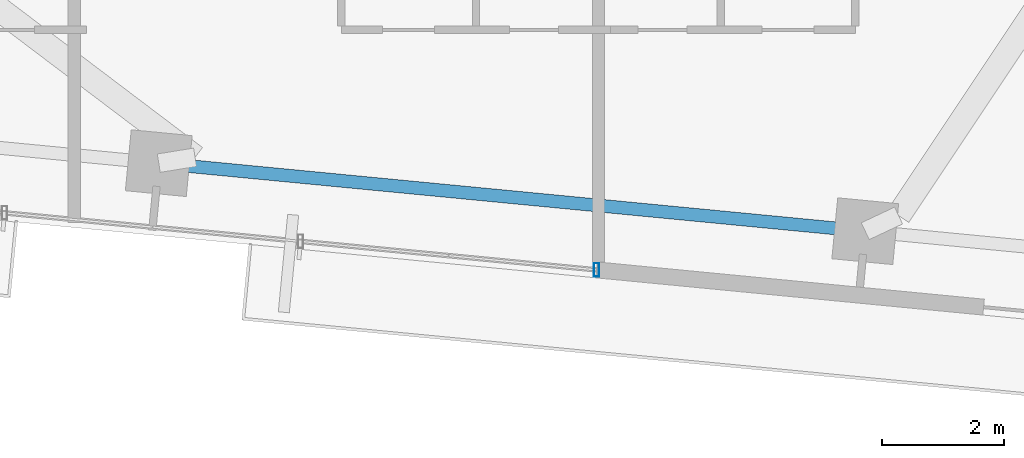
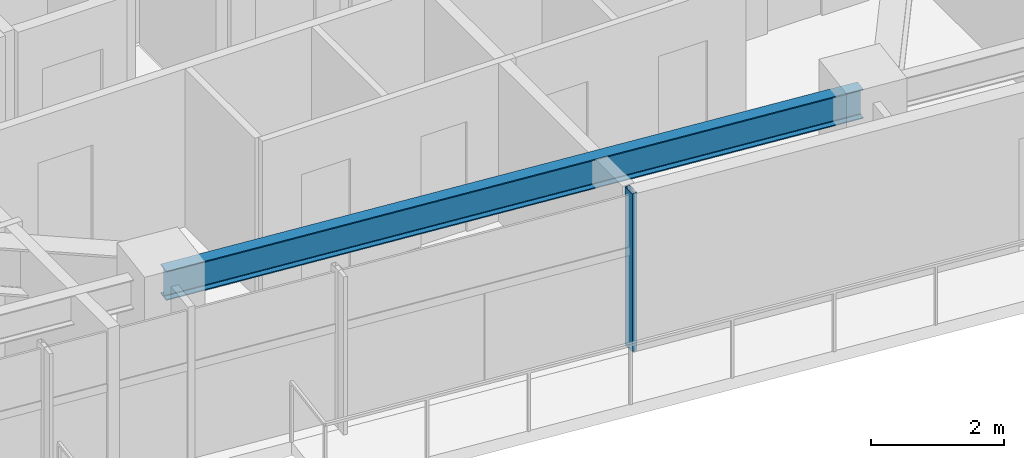
# One storey, part 9 of 20: 1 beam, 1 member, 1 element without a shape of its own.
"""IFC4 building model written with IfcOpenShell, lengths in metres."""

from ifc_helpers import new_model, si_unit, direction, frame, origin, origin_2d, place, context, subcontext, project, spatial, hollow_rectangle, i_section, extrude, source, transform, mapped, material, material_profile, profile_set, type_object, type_shapes, element, aggregate, save


model = new_model("IFC4")

# Units and contexts
model_context = context("Model", 3, precision=1e-05, world=origin(), true_north=direction((0.0, 1.0)))
body_context = subcontext(model_context, "Body", "Model", "MODEL_VIEW")
ifc_project = project(units=[si_unit("LENGTHUNIT", "METRE"), si_unit("AREAUNIT", "SQUARE_METRE"), si_unit("VOLUMEUNIT", "CUBIC_METRE"), si_unit("PLANEANGLEUNIT", "RADIAN"), si_unit("MASSUNIT", "GRAM", prefix="KILO")], contexts=[model_context])

# Site, building, storey
site_placement = place(None, origin())
site = spatial("IfcSite", under=ifc_project, at=site_placement, CompositionType="ELEMENT")
building_placement = place(site_placement, origin())
building = spatial("IfcBuilding", under=site, at=building_placement, Name="Astriad Promenade Condominiums", CompositionType="ELEMENT")
storey_placement = place(building_placement, frame((0.0, 0.0, 159.800048828125)))
storey = spatial("IfcBuildingStorey", under=building, at=storey_placement, Name="L46", CompositionType="ELEMENT", Elevation=159.800048828125)

# Beam
ifc_material_1 = material(Name="Steel ASTM A992 Grade 50", Category="steel")
ifc_material_profile_1 = material_profile(ifc_material_1, i_section(OverallWidth=0.210693359375, OverallDepth=0.53955078125, WebThickness=0.01171875, FlangeThickness=0.018798828125, FilletRadius=0.0166015625, at=origin_2d()), Name="W21X73")
ifc_profile_set_1 = profile_set([ifc_material_profile_1], Name="Steel ASTM A992 Grade 50")
beam_type = type_object("IfcBeamType", Name="STEEL SPANDREL BEAM W21X73", PredefinedType="SPANDREL", material=ifc_profile_set_1)
shared_shape_1 = source(origin(), body_context, "Body", "SweptSolid", [
    extrude(i_section(OverallWidth=0.210693359375, OverallDepth=0.53955078125, WebThickness=0.01171875, FlangeThickness=0.018798828125, FilletRadius=0.0166015625, at=origin_2d()), origin(), (0.0, 0.0, 1.0), 11.52001953125),
])
type_shapes(beam_type, [shared_shape_1])
beam_placement = place(storey_placement, frame((32.013671875, 8.2158203125, 2.63037109375), z_axis=(0.995397412028, -0.095833147335, 0.0), x_axis=(0.095833147335, 0.995397412028, 0.0)))
element("IfcBeam", 1, at=beam_placement, inside=storey, type_object=beam_type, Name="Perimeter Spandrel Beam SP-S3-L46", PredefinedType="SPANDREL", context=body_context, shape_type="MappedRepresentation", body=[
    mapped(shared_shape_1, transform((0.0, 0.0, 0.0), scale=1.0)),
])

# Curtain wall, member
ifc_material_2 = material(Name="Anodised aluminium Black Dark Glass Unitised", Category="aluminium")
curtain_wall_type = type_object("IfcCurtainWallType", Name="CW-B34-DARK", PredefinedType="USERDEFINED", material=ifc_material_2)
curtain_wall_placement = place(storey_placement, origin())
curtain_wall = element("IfcCurtainWall", 2, at=curtain_wall_placement, inside=storey, type_object=curtain_wall_type, Name="CW-L46-S", ObjectType="UNITISED_CURTAIN_WALL", PredefinedType="USERDEFINED")
ifc_material_3 = material(Name="Anodised aluminium 6063-T6 Black", Category="aluminium")
ifc_material_profile_2 = material_profile(ifc_material_3, hollow_rectangle(XDim=0.0849609375, YDim=0.219970703125, WallThickness=0.0048828125, at=origin_2d()), Name="ALU-MUL-85X220")
ifc_profile_set_2 = profile_set([ifc_material_profile_2], Name="Anodised aluminium 6063-T6 Black")
member_type = type_object("IfcMemberType", Name="MUL-ALU-MUL-85X220", PredefinedType="MULLION", material=ifc_profile_set_2)
shared_shape_2 = source(origin(), body_context, "Body", "SweptSolid", [
    extrude(hollow_rectangle(XDim=0.0849609375, YDim=0.219970703125, WallThickness=0.0048828125, at=origin_2d()), origin(), (0.0, 0.0, 1.0), 2.89990234375),
])
type_shapes(member_type, [shared_shape_2])
member_placement = place(storey_placement, frame((39.129638671875, 6.475830078125, 0.0), z_axis=(0.0, 0.0, 1.0), x_axis=(1.0, 0.0, 0.0)))
member = element("IfcMember", 3, at=member_placement, type_object=member_type, Name="CW-L46-S-MUL-00", PredefinedType="MULLION", context=body_context, shape_type="MappedRepresentation", body=[
    mapped(shared_shape_2, transform((0.0, 0.0, 0.0), scale=1.0)),
])
aggregate(curtain_wall, [member])

save(model, "model.ifc")
